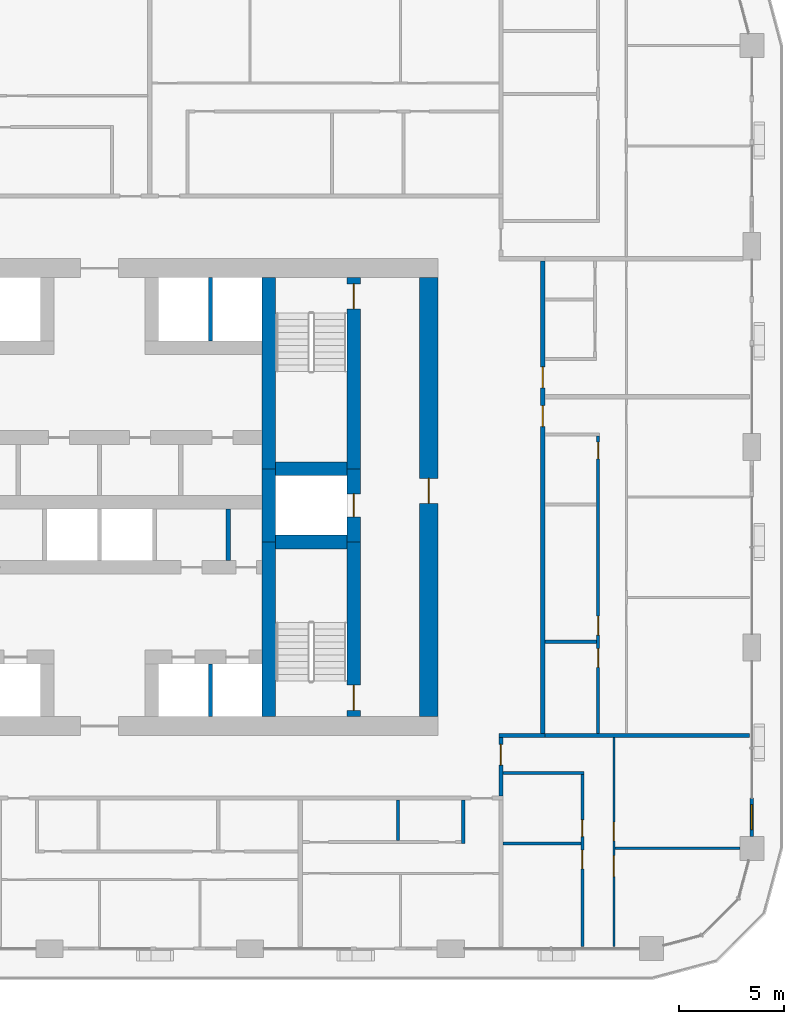
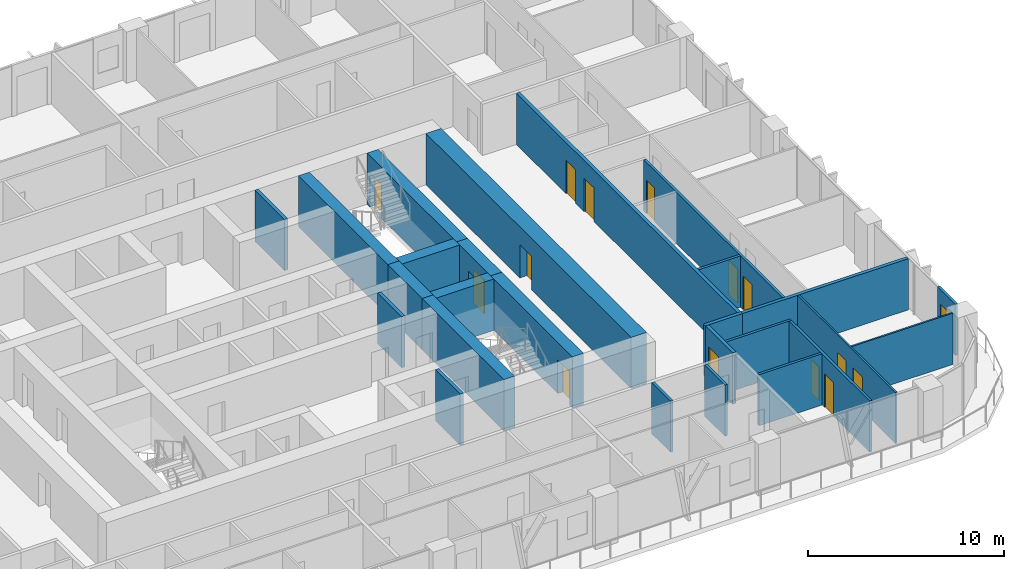
# One storey, part 12 of 22: 26 walls, 14 doors, 1 window, 15 openings.
"""IFC4 building model written with IfcOpenShell, lengths in metres."""

from ifc_helpers import new_model, si_unit, direction, frame, frame_2d, origin, place, context, subcontext, project, spatial, rectangle, extrude, material, layer, layer_set, type_object, element, fill, save


model = new_model("IFC4")

# Units and contexts
model_context = context("Model", 3, precision=1e-05, world=origin(), true_north=direction((0.0, 1.0)))
body_context = subcontext(model_context, "Body", "Model", "MODEL_VIEW")
ifc_project = project(units=[si_unit("LENGTHUNIT", "METRE"), si_unit("AREAUNIT", "SQUARE_METRE"), si_unit("VOLUMEUNIT", "CUBIC_METRE"), si_unit("PLANEANGLEUNIT", "RADIAN"), si_unit("MASSUNIT", "GRAM", prefix="KILO")], contexts=[model_context])

# Site, building, storey
site_placement = place(None, origin())
site = spatial("IfcSite", under=ifc_project, at=site_placement, CompositionType="ELEMENT")
building_placement = place(site_placement, origin())
building = spatial("IfcBuilding", under=site, at=building_placement, Name="Madar Terraces", CompositionType="ELEMENT")
storey_placement = place(building_placement, frame((0.0, 0.0, 103.199951171875)))
storey = spatial("IfcBuildingStorey", under=building, at=storey_placement, Name="L26", CompositionType="ELEMENT", Elevation=103.199951171875)

# Walls
ifc_material_1 = material(Name="Concrete C80/95", Category="concrete")
ifc_layer_1 = layer(ifc_material_1, 0.64990234375)
ifc_layer_set_1 = layer_set([ifc_layer_1], Name="Concrete C80/95 (CIW2 RC wall 650)")
wall_type_1 = type_object("IfcWallType", Name="CIW2 RC wall 650", PredefinedType="SHEAR", material=ifc_layer_set_1)
wall_1_placement = place(storey_placement, frame((39.300048828125, 15.89990234375, 0.0), z_axis=(0.0, 0.0, 1.0), x_axis=(0.0, 1.0, 0.0)))
element("IfcWall", 1, at=wall_1_placement, inside=storey, type_object=wall_type_1, Name="CORE SHAFT WALL", PredefinedType="SHEAR", context=body_context, shape_type="SweptSolid", body=[
    extrude(rectangle(XDim=8.35009765625, YDim=0.64990234375, at=frame_2d((4.175048828125, 0.0))), origin(), (0.0, 0.0, 1.0), 3.199951171875),
])
wall_2_placement = place(storey_placement, frame((39.300048828125, 24.25, 0.0), z_axis=(0.0, 0.0, 1.0), x_axis=(0.0, 1.0, 0.0)))
element("IfcWall", 2, at=wall_2_placement, inside=storey, type_object=wall_type_1, Name="CORE SHAFT WALL", PredefinedType="SHEAR", context=body_context, shape_type="SweptSolid", body=[
    extrude(rectangle(XDim=3.5, YDim=0.64990234375, at=frame_2d((1.75, 0.0))), origin(), (0.0, 0.0, 1.0), 3.199951171875),
])
wall_3_placement = place(storey_placement, frame((39.300048828125, 27.75, 0.0), z_axis=(0.0, 0.0, 1.0), x_axis=(0.0, 1.0, 0.0)))
element("IfcWall", 3, at=wall_3_placement, inside=storey, type_object=wall_type_1, Name="CORE SHAFT WALL", PredefinedType="SHEAR", context=body_context, shape_type="SweptSolid", body=[
    extrude(rectangle(XDim=9.14990234375, YDim=0.64990234375, at=frame_2d((4.574951171875, 0.0))), origin(), (0.0, 0.0, 1.0), 3.199951171875),
])

# Wall, opening, door
wall_4_placement = place(storey_placement, frame((43.35009765625, 15.89990234375, 0.0), z_axis=(0.0, 0.0, 1.0), x_axis=(0.0, 1.0, 0.0)))
wall_4 = element("IfcWall", 4, at=wall_4_placement, inside=storey, type_object=wall_type_1, Name="CORE SHAFT WALL", PredefinedType="SHEAR", context=body_context, shape_type="SweptSolid", body=[
    extrude(rectangle(XDim=8.35009765625, YDim=0.64990234375, at=frame_2d((4.175048828125, 0.0))), origin(), (0.0, 0.0, 1.0), 3.199951171875),
])
opening_1_placement = place(wall_4_placement, frame((0.300048828125, 0.0, 0.0)))
opening_1 = element("IfcOpeningElement", 5, at=opening_1_placement, cuts=wall_4, Name="Opening SD1", PredefinedType="OPENING", context=body_context, shape_type="SweptSolid", body=[
    extrude(rectangle(XDim=1.199951171875, YDim=2.10009765625, at=frame_2d((0.60009765625, 1.050048828125))), frame((0.0, 0.3349609375, 0.0), z_axis=(0.0, -1.0, 0.0), x_axis=(1.0, 0.0, 0.0)), (0.0, 0.0, 1.0), 0.669921875),
])
ifc_material_2 = material(Name="Steel door leaf", Category="steel")
door_type_1 = type_object("IfcDoorType", Name="Stair door 1200 x 2100", OperationType="NOTDEFINED", PredefinedType="DOOR", material=ifc_material_2)
door_1_placement = place(opening_1_placement, origin())
door_1 = element("IfcDoor", 6, at=door_1_placement, inside=storey, type_object=door_type_1, Name="STAIR DOOR", OperationType="SINGLE_SWING_LEFT", OverallHeight=2.10009765625, OverallWidth=1.199951171875, PredefinedType="DOOR", context=body_context, shape_type="SweptSolid", body=[
    extrude(rectangle(XDim=1.199951171875, YDim=2.10009765625, at=frame_2d((0.60009765625, 1.050048828125))), frame((0.0, 0.02490234375, 0.0), z_axis=(0.0, -1.0, 0.0), x_axis=(1.0, 0.0, 0.0)), (0.0, 0.0, 1.0), 0.050048828125),
])
fill(opening_1, door_1)

wall_5_placement = place(storey_placement, frame((43.35009765625, 24.25, 0.0), z_axis=(0.0, 0.0, 1.0), x_axis=(0.0, 1.0, 0.0)))
wall_5 = element("IfcWall", 7, at=wall_5_placement, inside=storey, type_object=wall_type_1, Name="CORE SHAFT WALL", PredefinedType="SHEAR", context=body_context, shape_type="SweptSolid", body=[
    extrude(rectangle(XDim=3.5, YDim=0.64990234375, at=frame_2d((1.75, 0.0))), origin(), (0.0, 0.0, 1.0), 3.199951171875),
])
opening_2_placement = place(wall_5_placement, frame((1.199951171875, 0.0, 0.0)))
opening_2 = element("IfcOpeningElement", 8, at=opening_2_placement, cuts=wall_5, Name="Opening LD", PredefinedType="OPENING", context=body_context, shape_type="SweptSolid", body=[
    extrude(rectangle(XDim=1.10009765625, YDim=2.10009765625, at=frame_2d((0.550048828125, 1.050048828125))), frame((0.0, 0.3349609375, 0.0), z_axis=(0.0, -1.0, 0.0), x_axis=(1.0, 0.0, 0.0)), (0.0, 0.0, 1.0), 0.669921875),
])
ifc_material_3 = material(Name="Stainless steel panel", Category="steel")
door_type_2 = type_object("IfcDoorType", Name="Lift landing door 1100 x 2100", OperationType="DOUBLE_DOOR_SLIDING", PredefinedType="DOOR", material=ifc_material_3)
door_2_placement = place(opening_2_placement, origin())
door_2 = element("IfcDoor", 9, at=door_2_placement, inside=storey, type_object=door_type_2, Name="LIFT LANDING DOOR", OperationType="DOUBLE_DOOR_SLIDING", OverallHeight=2.10009765625, OverallWidth=1.10009765625, PredefinedType="DOOR", context=body_context, shape_type="SweptSolid", body=[
    extrude(rectangle(XDim=1.10009765625, YDim=2.10009765625, at=frame_2d((0.550048828125, 1.050048828125))), frame((0.0, 0.02490234375, 0.0), z_axis=(0.0, -1.0, 0.0), x_axis=(1.0, 0.0, 0.0)), (0.0, 0.0, 1.0), 0.050048828125),
])
fill(opening_2, door_2)

wall_6_placement = place(storey_placement, frame((43.35009765625, 27.75, 0.0), z_axis=(0.0, 0.0, 1.0), x_axis=(0.0, 1.0, 0.0)))
wall_6 = element("IfcWall", 10, at=wall_6_placement, inside=storey, type_object=wall_type_1, Name="CORE SHAFT WALL", PredefinedType="SHEAR", context=body_context, shape_type="SweptSolid", body=[
    extrude(rectangle(XDim=9.14990234375, YDim=0.64990234375, at=frame_2d((4.574951171875, 0.0))), origin(), (0.0, 0.0, 1.0), 3.199951171875),
])
opening_3_placement = place(wall_6_placement, frame((7.64990234375, 0.0, 0.0)))
opening_3 = element("IfcOpeningElement", 11, at=opening_3_placement, cuts=wall_6, Name="Opening SD1", PredefinedType="OPENING", context=body_context, shape_type="SweptSolid", body=[
    extrude(rectangle(XDim=1.199951171875, YDim=2.10009765625, at=frame_2d((0.60009765625, 1.050048828125))), frame((0.0, 0.3349609375, 0.0), z_axis=(0.0, -1.0, 0.0), x_axis=(1.0, 0.0, 0.0)), (0.0, 0.0, 1.0), 0.669921875),
])
door_3_placement = place(opening_3_placement, origin())
door_3 = element("IfcDoor", 12, at=door_3_placement, inside=storey, type_object=door_type_1, Name="STAIR DOOR", OperationType="SINGLE_SWING_RIGHT", OverallHeight=2.10009765625, OverallWidth=1.199951171875, PredefinedType="DOOR", context=body_context, shape_type="SweptSolid", body=[
    extrude(rectangle(XDim=1.199951171875, YDim=2.10009765625, at=frame_2d((0.60009765625, 1.050048828125))), frame((0.0, 0.02490234375, 0.0), z_axis=(0.0, -1.0, 0.0), x_axis=(1.0, 0.0, 0.0)), (0.0, 0.0, 1.0), 0.050048828125),
])
fill(opening_3, door_3)

# Walls
for number, where, z_axis, x_axis, name in (
    (13, (39.625, 24.25, 0.0), (0.0, 0.0, 1.0), (1.0, 0.0, 0.0), "CORE SHAFT WALL"),
    (14, (39.625, 27.75, 0.0), (0.0, 0.0, 1.0), (1.0, 0.0, 0.0), "CORE SHAFT WALL"),
):
    element("IfcWall", number, at=place(storey_placement, frame(where, z_axis=z_axis, x_axis=x_axis)), inside=storey, type_object=wall_type_1, Name=name, PredefinedType="SHEAR", context=body_context, shape_type="SweptSolid", body=[
        extrude(rectangle(XDim=3.39990234375, YDim=0.64990234375, at=frame_2d((1.699951171875, 0.0))), origin(), (0.0, 0.0, 1.0), 3.199951171875),
    ])

# Wall, opening, door
ifc_material_4 = material(Name="Concrete C80/95", Category="concrete")
ifc_layer_2 = layer(ifc_material_4, 0.89990234375)
ifc_layer_set_2 = layer_set([ifc_layer_2], Name="Concrete C80/95 (CRW2 RC wall 900)")
wall_type_2 = type_object("IfcWallType", Name="CRW2 RC wall 900", PredefinedType="SHEAR", material=ifc_layer_set_2)
wall_7_placement = place(storey_placement, frame((46.949951171875, 15.89990234375, 0.0), z_axis=(0.0, 0.0, 1.0), x_axis=(0.0, 1.0, 0.0)))
wall_7 = element("IfcWall", 15, at=wall_7_placement, inside=storey, type_object=wall_type_2, Name="CORE OUTER WALL", PredefinedType="SHEAR", context=body_context, shape_type="SweptSolid", body=[
    extrude(rectangle(XDim=21.0, YDim=0.89990234375, at=frame_2d((10.5, 0.0))), origin(), (0.0, 0.0, 1.0), 3.199951171875),
])
opening_4_placement = place(wall_7_placement, frame((10.199951171875, 0.0, 0.0)))
opening_4 = element("IfcOpeningElement", 16, at=opening_4_placement, cuts=wall_7, Name="Opening SD1", PredefinedType="OPENING", context=body_context, shape_type="SweptSolid", body=[
    extrude(rectangle(XDim=1.199951171875, YDim=2.10009765625, at=frame_2d((0.60009765625, 1.050048828125))), frame((0.0, 0.4599609375, 0.0), z_axis=(0.0, -1.0, 0.0), x_axis=(1.0, 0.0, 0.0)), (0.0, 0.0, 1.0), 0.919921875),
])
door_4_placement = place(opening_4_placement, origin())
door_4 = element("IfcDoor", 17, at=door_4_placement, inside=storey, type_object=door_type_1, Name="STAIR DOOR", OperationType="SINGLE_SWING_RIGHT", OverallHeight=2.10009765625, OverallWidth=1.199951171875, PredefinedType="DOOR", context=body_context, shape_type="SweptSolid", body=[
    extrude(rectangle(XDim=1.199951171875, YDim=2.10009765625, at=frame_2d((0.60009765625, 1.050048828125))), frame((0.0, 0.02490234375, 0.0), z_axis=(0.0, -1.0, 0.0), x_axis=(1.0, 0.0, 0.0)), (0.0, 0.0, 1.0), 0.050048828125),
])
fill(opening_4, door_4)

# Walls
ifc_material_5 = material(Name="Masonry blockwork", Category="masonry")
ifc_layer_3 = layer(ifc_material_5, 0.199951171875)
ifc_layer_set_3 = layer_set([ifc_layer_3], Name="Core partition 200 blockwork")
wall_type_3 = type_object("IfcWallType", Name="Core partition 200 blockwork", PredefinedType="PARTITIONING", material=ifc_layer_set_3)
wall_8_placement = place(storey_placement, frame((37.35888671875, 23.375, 0.0), z_axis=(0.0, 0.0, 1.0), x_axis=(0.0, 1.0, 0.0)))
element("IfcWall", 18, at=wall_8_placement, inside=storey, type_object=wall_type_3, Name="SERVICE ROOM PARTITION", PredefinedType="PARTITIONING", context=body_context, shape_type="SweptSolid", body=[
    extrude(rectangle(XDim=2.449951171875, YDim=0.199951171875, at=frame_2d((1.22509765625, 0.0))), origin(), (0.0, 0.0, 1.0), 3.199951171875),
])
ifc_material_6 = material(Name="Concrete C40/50", Category="concrete")
ifc_layer_4 = layer(ifc_material_6, 0.199951171875)
ifc_layer_set_4 = layer_set([ifc_layer_4], Name="Core shaft dividing wall 200 C40/50")
wall_type_4 = type_object("IfcWallType", Name="Core shaft dividing wall 200 C40/50", PredefinedType="SOLIDWALL", material=ifc_layer_set_4)
wall_9_placement = place(storey_placement, frame((36.5, 15.89990234375, 0.0), z_axis=(0.0, 0.0, 1.0), x_axis=(0.0, 1.0, 0.0)))
element("IfcWall", 19, at=wall_9_placement, inside=storey, type_object=wall_type_4, Name="SHAFT DIVIDING WALL", PredefinedType="SOLIDWALL", context=body_context, shape_type="SweptSolid", body=[
    extrude(rectangle(XDim=2.525146484375, YDim=0.199951171875, at=frame_2d((1.2626953125, 0.0))), origin(), (0.0, 0.0, 1.0), 3.199951171875),
])
wall_10_placement = place(storey_placement, frame((36.5, 33.875, 0.0), z_axis=(0.0, 0.0, 1.0), x_axis=(0.0, 1.0, 0.0)))
element("IfcWall", 20, at=wall_10_placement, inside=storey, type_object=wall_type_4, Name="SHAFT DIVIDING WALL", PredefinedType="SOLIDWALL", context=body_context, shape_type="SweptSolid", body=[
    extrude(rectangle(XDim=3.02490234375, YDim=0.199951171875, at=frame_2d((1.512451171875, 0.0))), origin(), (0.0, 0.0, 1.0), 3.199951171875),
])

# Wall, opening, window
ifc_material_7 = material(Name="Aluminium composite panel, black, over insulated backing", Category="aluminium")
ifc_layer_5 = layer(ifc_material_7, 0.14990234375)
ifc_layer_set_5 = layer_set([ifc_layer_5], Name="Facade bay panel 150")
wall_type_5 = type_object("IfcWallType", Name="Facade bay panel 150", PredefinedType="SOLIDWALL", material=ifc_layer_set_5)
wall_11_placement = place(storey_placement, frame((62.39990234375, 10.175048828125, 0.0), z_axis=(0.0, 0.0, 1.0), x_axis=(0.0, 1.0, 0.0)))
wall_11 = element("IfcWall", 21, at=wall_11_placement, inside=storey, type_object=wall_type_5, Name="Facade bay panel", PredefinedType="SOLIDWALL", context=body_context, shape_type="SweptSolid", body=[
    extrude(rectangle(XDim=1.824951171875, YDim=0.14990234375, at=frame_2d((0.91259765625, 0.0))), origin(), (0.0, 0.0, 1.0), 3.199951171875),
])
opening_5_placement = place(wall_11_placement, frame((0.3125, 0.0, 0.89990234375)))
opening_5 = element("IfcOpeningElement", 22, at=opening_5_placement, cuts=wall_11, Name="Opening W1", PredefinedType="OPENING", context=body_context, shape_type="SweptSolid", body=[
    extrude(rectangle(XDim=1.199951171875, YDim=1.39990234375, at=frame_2d((0.60009765625, 0.699951171875))), frame((0.0, 0.0849609375, 0.0), z_axis=(0.0, -1.0, 0.0), x_axis=(1.0, 0.0, 0.0)), (0.0, 0.0, 1.0), 0.169921875),
])
ifc_material_8 = material(Name="Glass, clear, with black aluminium frame", Category="aluminium")
window_type = type_object("IfcWindowType", Name="Vent window 1200 x 1400", PartitioningType="SINGLE_PANEL", PredefinedType="WINDOW", material=ifc_material_8)
window_placement = place(opening_5_placement, origin())
window = element("IfcWindow", 23, at=window_placement, inside=storey, type_object=window_type, Name="Operable vent window", OverallHeight=1.39990234375, OverallWidth=1.199951171875, PartitioningType="SINGLE_PANEL", PredefinedType="WINDOW", context=body_context, shape_type="SweptSolid", body=[
    extrude(rectangle(XDim=1.199951171875, YDim=1.39990234375, at=frame_2d((0.60009765625, 0.699951171875))), frame((0.0, 0.030029296875, 0.0), z_axis=(0.0, -1.0, 0.0), x_axis=(1.0, 0.0, 0.0)), (0.0, 0.0, 1.0), 0.06005859375),
])
fill(opening_5, window)

# Wall
ifc_material_9 = material(Name="Gypsum board on steel studs", Category="steel")
ifc_layer_6 = layer(ifc_material_9, 0.10009765625)
ifc_layer_set_6 = layer_set([ifc_layer_6], Name="Flat partition 100")
wall_type_6 = type_object("IfcWallType", Name="Flat partition 100", PredefinedType="PARTITIONING", material=ifc_layer_set_6)
wall_12_placement = place(storey_placement, frame((55.85009765625, 9.60009765625, 0.0), z_axis=(0.0, 0.0, 1.0), x_axis=(1.0, 0.0, 0.0)))
element("IfcWall", 24, at=wall_12_placement, inside=storey, type_object=wall_type_6, Name="Flat partition 100", PredefinedType="PARTITIONING", context=body_context, shape_type="SweptSolid", body=[
    extrude(rectangle(XDim=5.974853515625, YDim=0.10009765625, at=frame_2d((2.9873046875, 0.0))), origin(), (0.0, 0.0, 1.0), 3.199951171875),
])

# Wall, openings, doors
wall_13_placement = place(storey_placement, frame((55.800048828125, 14.89990234375, 0.0), z_axis=(0.0, 0.0, 1.0), x_axis=(0.0, -1.0, 0.0)))
wall_13 = element("IfcWall", 25, at=wall_13_placement, inside=storey, type_object=wall_type_6, Name="Flat partition 100", PredefinedType="PARTITIONING", context=body_context, shape_type="SweptSolid", body=[
    extrude(rectangle(XDim=10.0, YDim=0.10009765625, at=frame_2d((5.0, 0.0))), origin(), (0.0, 0.0, 1.0), 3.199951171875),
])
opening_6_placement = place(wall_13_placement, frame((4.050048828125, 0.0, 0.0)))
opening_6 = element("IfcOpeningElement", 26, at=opening_6_placement, cuts=wall_13, Name="Opening D2", PredefinedType="OPENING", context=body_context, shape_type="SweptSolid", body=[
    extrude(rectangle(XDim=0.89990234375, YDim=2.10009765625, at=frame_2d((0.449951171875, 1.050048828125))), frame((0.0, 0.06005859375, 0.0), z_axis=(0.0, -1.0, 0.0), x_axis=(1.0, 0.0, 0.0)), (0.0, 0.0, 1.0), 0.1201171875),
])
opening_7_placement = place(wall_13_placement, frame((5.64990234375, 0.0, 0.0)))
opening_7 = element("IfcOpeningElement", 27, at=opening_7_placement, cuts=wall_13, Name="Opening D3", PredefinedType="OPENING", context=body_context, shape_type="SweptSolid", body=[
    extrude(rectangle(XDim=1.0, YDim=2.10009765625, at=frame_2d((0.5, 1.050048828125))), frame((0.0, 0.06005859375, 0.0), z_axis=(0.0, -1.0, 0.0), x_axis=(1.0, 0.0, 0.0)), (0.0, 0.0, 1.0), 0.1201171875),
])
ifc_material_10 = material(Name="Timber door leaf", Category="wood")
door_type_3 = type_object("IfcDoorType", Name="Flat living room door 1000", OperationType="NOTDEFINED", PredefinedType="DOOR", material=ifc_material_10)
door_5_placement = place(opening_7_placement, origin())
door_5 = element("IfcDoor", 28, at=door_5_placement, inside=storey, type_object=door_type_3, Name="Flat living room door 1000", OperationType="SINGLE_SWING_LEFT", OverallHeight=2.10009765625, OverallWidth=1.0, PredefinedType="DOOR", context=body_context, shape_type="SweptSolid", body=[
    extrude(rectangle(XDim=1.0, YDim=2.10009765625, at=frame_2d((0.5, 1.050048828125))), frame((0.0, 0.02490234375, 0.0), z_axis=(0.0, -1.0, 0.0), x_axis=(1.0, 0.0, 0.0)), (0.0, 0.0, 1.0), 0.050048828125),
])
fill(opening_7, door_5)
ifc_material_11 = material(Name="Timber door leaf", Category="wood")
door_type_4 = type_object("IfcDoorType", Name="Flat room door 900", OperationType="NOTDEFINED", PredefinedType="DOOR", material=ifc_material_11)
door_6_placement = place(opening_6_placement, origin())
door_6 = element("IfcDoor", 29, at=door_6_placement, inside=storey, type_object=door_type_4, Name="Flat room door 900", OperationType="SINGLE_SWING_RIGHT", OverallHeight=2.10009765625, OverallWidth=0.89990234375, PredefinedType="DOOR", context=body_context, shape_type="SweptSolid", body=[
    extrude(rectangle(XDim=0.89990234375, YDim=2.10009765625, at=frame_2d((0.449951171875, 1.050048828125))), frame((0.0, 0.02490234375, 0.0), z_axis=(0.0, -1.0, 0.0), x_axis=(1.0, 0.0, 0.0)), (0.0, 0.0, 1.0), 0.050048828125),
])
fill(opening_6, door_6)

# Wall, opening, door
ifc_material_12 = material(Name="Lightweight blockwork", Category="masonry")
ifc_layer_7 = layer(ifc_material_12, 0.199951171875)
ifc_layer_set_7 = layer_set([ifc_layer_7], Name="Flat party and entrance wall 200")
wall_type_7 = type_object("IfcWallType", Name="Flat party and entrance wall 200", PredefinedType="PARTITIONING", material=ifc_layer_set_7)
wall_14_placement = place(storey_placement, frame((50.39990234375, 14.89990234375, 0.0), z_axis=(0.0, 0.0, 1.0), x_axis=(0.0, -1.0, 0.0)))
wall_14 = element("IfcWall", 30, at=wall_14_placement, inside=storey, type_object=wall_type_7, Name="Flat party and entrance wall 200", PredefinedType="PARTITIONING", context=body_context, shape_type="SweptSolid", body=[
    extrude(rectangle(XDim=2.7998046875, YDim=0.199951171875, at=frame_2d((1.39990234375, 0.0))), origin(), (0.0, 0.0, 1.0), 3.199951171875),
])
opening_8_placement = place(wall_14_placement, frame((0.324951171875, 0.0, 0.0)))
opening_8 = element("IfcOpeningElement", 31, at=opening_8_placement, cuts=wall_14, Name="Opening D1", PredefinedType="OPENING", context=body_context, shape_type="SweptSolid", body=[
    extrude(rectangle(XDim=1.0, YDim=2.10009765625, at=frame_2d((0.5, 1.050048828125))), frame((0.0, 0.10986328125, 0.0), z_axis=(0.0, -1.0, 0.0), x_axis=(1.0, 0.0, 0.0)), (0.0, 0.0, 1.0), 0.219970703125),
])
ifc_material_13 = material(Name="Timber fire door leaf", Category="wood")
door_type_5 = type_object("IfcDoorType", Name="Flat entrance door 1000 FD30S", OperationType="NOTDEFINED", PredefinedType="DOOR", material=ifc_material_13)
door_7_placement = place(opening_8_placement, origin())
door_7 = element("IfcDoor", 32, at=door_7_placement, inside=storey, type_object=door_type_5, Name="Flat entrance door 1000 FD30S", OperationType="SINGLE_SWING_LEFT", OverallHeight=2.10009765625, OverallWidth=1.0, PredefinedType="DOOR", context=body_context, shape_type="SweptSolid", body=[
    extrude(rectangle(XDim=1.0, YDim=2.10009765625, at=frame_2d((0.5, 1.050048828125))), frame((0.0, 0.02490234375, 0.0), z_axis=(0.0, -1.0, 0.0), x_axis=(1.0, 0.0, 0.0)), (0.0, 0.0, 1.0), 0.050048828125),
])
fill(opening_8, door_7)

# Wall
wall_15_placement = place(storey_placement, frame((50.300048828125, 15.0, 0.0), z_axis=(0.0, 0.0, 1.0), x_axis=(1.0, 0.0, 0.0)))
element("IfcWall", 33, at=wall_15_placement, inside=storey, type_object=wall_type_7, Name="Flat party and entrance wall 200", PredefinedType="PARTITIONING", context=body_context, shape_type="SweptSolid", body=[
    extrude(rectangle(XDim=2.199951171875, YDim=0.199951171875, at=frame_2d((1.10009765625, 0.0))), origin(), (0.0, 0.0, 1.0), 3.199951171875),
])

# Wall, openings, doors
wall_16_placement = place(storey_placement, frame((52.39990234375, 37.699951171875, 0.0), z_axis=(0.0, 0.0, 1.0), x_axis=(0.0, -1.0, 0.0)))
wall_16 = element("IfcWall", 34, at=wall_16_placement, inside=storey, type_object=wall_type_7, Name="Flat party and entrance wall 200", PredefinedType="PARTITIONING", context=body_context, shape_type="SweptSolid", body=[
    extrude(rectangle(XDim=22.599853515625, YDim=0.199951171875, at=frame_2d((11.2998046875, 0.0))), origin(), (0.0, 0.0, 1.0), 3.199951171875),
])
opening_9_placement = place(wall_16_placement, frame((6.925048828125, 0.0, 0.0)))
opening_9 = element("IfcOpeningElement", 35, at=opening_9_placement, cuts=wall_16, Name="Opening D1", PredefinedType="OPENING", context=body_context, shape_type="SweptSolid", body=[
    extrude(rectangle(XDim=1.0, YDim=2.10009765625, at=frame_2d((0.5, 1.050048828125))), frame((0.0, 0.10986328125, 0.0), z_axis=(0.0, -1.0, 0.0), x_axis=(1.0, 0.0, 0.0)), (0.0, 0.0, 1.0), 0.219970703125),
])
opening_10_placement = place(wall_16_placement, frame((5.074951171875, 0.0, 0.0)))
opening_10 = element("IfcOpeningElement", 36, at=opening_10_placement, cuts=wall_16, Name="Opening D1", PredefinedType="OPENING", context=body_context, shape_type="SweptSolid", body=[
    extrude(rectangle(XDim=1.0, YDim=2.10009765625, at=frame_2d((0.5, 1.050048828125))), frame((0.0, 0.10986328125, 0.0), z_axis=(0.0, -1.0, 0.0), x_axis=(1.0, 0.0, 0.0)), (0.0, 0.0, 1.0), 0.219970703125),
])
door_8_placement = place(opening_9_placement, origin())
door_8 = element("IfcDoor", 37, at=door_8_placement, inside=storey, type_object=door_type_5, Name="Flat entrance door 1000 FD30S", OperationType="SINGLE_SWING_LEFT", OverallHeight=2.10009765625, OverallWidth=1.0, PredefinedType="DOOR", context=body_context, shape_type="SweptSolid", body=[
    extrude(rectangle(XDim=1.0, YDim=2.10009765625, at=frame_2d((0.5, 1.050048828125))), frame((0.0, 0.02490234375, 0.0), z_axis=(0.0, -1.0, 0.0), x_axis=(1.0, 0.0, 0.0)), (0.0, 0.0, 1.0), 0.050048828125),
])
fill(opening_9, door_8)
door_9_placement = place(opening_10_placement, origin())
door_9 = element("IfcDoor", 38, at=door_9_placement, inside=storey, type_object=door_type_5, Name="Flat entrance door 1000 FD30S", OperationType="SINGLE_SWING_RIGHT", OverallHeight=2.10009765625, OverallWidth=1.0, PredefinedType="DOOR", context=body_context, shape_type="SweptSolid", body=[
    extrude(rectangle(XDim=1.0, YDim=2.10009765625, at=frame_2d((0.5, 1.050048828125))), frame((0.0, 0.02490234375, 0.0), z_axis=(0.0, -1.0, 0.0), x_axis=(1.0, 0.0, 0.0)), (0.0, 0.0, 1.0), 0.050048828125),
])
fill(opening_10, door_9)

# Walls
wall_17_placement = place(storey_placement, frame((52.5, 15.0, 0.0), z_axis=(0.0, 0.0, 1.0), x_axis=(1.0, 0.0, 0.0)))
element("IfcWall", 39, at=wall_17_placement, inside=storey, type_object=wall_type_7, Name="Flat party and entrance wall 200", PredefinedType="PARTITIONING", context=body_context, shape_type="SweptSolid", body=[
    extrude(rectangle(XDim=9.800048828125, YDim=0.199951171875, at=frame_2d((4.89990234375, 0.0))), origin(), (0.0, 0.0, 1.0), 3.199951171875),
])
ifc_material_14 = material(Name="Lightweight blockwork", Category="masonry")
ifc_layer_8 = layer(ifc_material_14, 0.14990234375)
ifc_layer_set_8 = layer_set([ifc_layer_8], Name="Flat wet-room partition 150")
wall_type_8 = type_object("IfcWallType", Name="Flat wet-room partition 150", PredefinedType="PARTITIONING", material=ifc_layer_set_8)
wall_18_placement = place(storey_placement, frame((45.47509765625, 11.89990234375, 0.0), z_axis=(0.0, 0.0, 1.0), x_axis=(0.0, -1.0, 0.0)))
element("IfcWall", 40, at=wall_18_placement, inside=storey, type_object=wall_type_8, Name="Flat wet-room partition 150", PredefinedType="PARTITIONING", context=body_context, shape_type="SweptSolid", body=[
    extrude(rectangle(XDim=1.9248046875, YDim=0.14990234375, at=frame_2d((0.96240234375, 0.0))), origin(), (0.0, 0.0, 1.0), 3.199951171875),
])
wall_19_placement = place(storey_placement, frame((48.60009765625, 11.89990234375, 0.0), z_axis=(0.0, 0.0, 1.0), x_axis=(0.0, -1.0, 0.0)))
element("IfcWall", 41, at=wall_19_placement, inside=storey, type_object=wall_type_8, Name="Flat wet-room partition 150", PredefinedType="PARTITIONING", context=body_context, shape_type="SweptSolid", body=[
    extrude(rectangle(XDim=2.074951171875, YDim=0.14990234375, at=frame_2d((1.03759765625, 0.0))), origin(), (0.0, 0.0, 1.0), 3.199951171875),
])
wall_20_placement = place(storey_placement, frame((50.5, 9.8349609375, 0.0), z_axis=(0.0, 0.0, 1.0), x_axis=(1.0, 0.0, 0.0)))
element("IfcWall", 42, at=wall_20_placement, inside=storey, type_object=wall_type_8, Name="Flat wet-room partition 150", PredefinedType="PARTITIONING", context=body_context, shape_type="SweptSolid", body=[
    extrude(rectangle(XDim=3.72509765625, YDim=0.14990234375, at=frame_2d((1.862548828125, 0.0))), origin(), (0.0, 0.0, 1.0), 3.199951171875),
])
wall_21_placement = place(storey_placement, frame((50.5, 13.199951171875, 0.0), z_axis=(0.0, 0.0, 1.0), x_axis=(1.0, 0.0, 0.0)))
element("IfcWall", 43, at=wall_21_placement, inside=storey, type_object=wall_type_8, Name="Flat wet-room partition 150", PredefinedType="PARTITIONING", context=body_context, shape_type="SweptSolid", body=[
    extrude(rectangle(XDim=3.875, YDim=0.14990234375, at=frame_2d((1.9375, 0.0))), origin(), (0.0, 0.0, 1.0), 3.199951171875),
])

# Wall, openings, doors
wall_22_placement = place(storey_placement, frame((54.300048828125, 4.89990234375, 0.0), z_axis=(0.0, 0.0, 1.0), x_axis=(0.0, 1.0, 0.0)))
wall_22 = element("IfcWall", 44, at=wall_22_placement, inside=storey, type_object=wall_type_8, Name="Flat wet-room partition 150", PredefinedType="PARTITIONING", context=body_context, shape_type="SweptSolid", body=[
    extrude(rectangle(XDim=8.22509765625, YDim=0.14990234375, at=frame_2d((4.112548828125, 0.0))), origin(), (0.0, 0.0, 1.0), 3.199951171875),
])
opening_11_placement = place(wall_22_placement, frame((5.260009765625, 0.0, 0.0)))
opening_11 = element("IfcOpeningElement", 45, at=opening_11_placement, cuts=wall_22, Name="Opening D4", PredefinedType="OPENING", context=body_context, shape_type="SweptSolid", body=[
    extrude(rectangle(XDim=0.800048828125, YDim=2.10009765625, at=frame_2d((0.39990234375, 1.050048828125))), frame((0.0, 0.0849609375, 0.0), z_axis=(0.0, -1.0, 0.0), x_axis=(1.0, 0.0, 0.0)), (0.0, 0.0, 1.0), 0.169921875),
])
opening_12_placement = place(wall_22_placement, frame((3.7099609375, 0.0, 0.0)))
opening_12 = element("IfcOpeningElement", 46, at=opening_12_placement, cuts=wall_22, Name="Opening D2", PredefinedType="OPENING", context=body_context, shape_type="SweptSolid", body=[
    extrude(rectangle(XDim=0.89990234375, YDim=2.10009765625, at=frame_2d((0.449951171875, 1.050048828125))), frame((0.0, 0.0849609375, 0.0), z_axis=(0.0, -1.0, 0.0), x_axis=(1.0, 0.0, 0.0)), (0.0, 0.0, 1.0), 0.169921875),
])
ifc_material_15 = material(Name="Timber door leaf", Category="wood")
door_type_6 = type_object("IfcDoorType", Name="Flat bathroom door 800", OperationType="NOTDEFINED", PredefinedType="DOOR", material=ifc_material_15)
door_10_placement = place(opening_11_placement, origin())
door_10 = element("IfcDoor", 47, at=door_10_placement, inside=storey, type_object=door_type_6, Name="Flat bathroom door 800", OperationType="SINGLE_SWING_LEFT", OverallHeight=2.10009765625, OverallWidth=0.800048828125, PredefinedType="DOOR", context=body_context, shape_type="SweptSolid", body=[
    extrude(rectangle(XDim=0.800048828125, YDim=2.10009765625, at=frame_2d((0.39990234375, 1.050048828125))), frame((0.0, 0.02490234375, 0.0), z_axis=(0.0, -1.0, 0.0), x_axis=(1.0, 0.0, 0.0)), (0.0, 0.0, 1.0), 0.050048828125),
])
fill(opening_11, door_10)
door_11_placement = place(opening_12_placement, origin())
door_11 = element("IfcDoor", 48, at=door_11_placement, inside=storey, type_object=door_type_4, Name="Flat room door 900", OperationType="SINGLE_SWING_RIGHT", OverallHeight=2.10009765625, OverallWidth=0.89990234375, PredefinedType="DOOR", context=body_context, shape_type="SweptSolid", body=[
    extrude(rectangle(XDim=0.89990234375, YDim=2.10009765625, at=frame_2d((0.449951171875, 1.050048828125))), frame((0.0, 0.02490234375, 0.0), z_axis=(0.0, -1.0, 0.0), x_axis=(1.0, 0.0, 0.0)), (0.0, 0.0, 1.0), 0.050048828125),
])
fill(opening_12, door_11)

# Wall
wall_23_placement = place(storey_placement, frame((52.5, 19.476806640625, 0.0), z_axis=(0.0, 0.0, 1.0), x_axis=(1.0, 0.0, 0.0)))
element("IfcWall", 49, at=wall_23_placement, inside=storey, type_object=wall_type_8, Name="Flat wet-room partition 150", PredefinedType="PARTITIONING", context=body_context, shape_type="SweptSolid", body=[
    extrude(rectangle(XDim=2.47509765625, YDim=0.14990234375, at=frame_2d((1.237548828125, 0.0))), origin(), (0.0, 0.0, 1.0), 3.199951171875),
])

# Wall, openings, doors
wall_24_placement = place(storey_placement, frame((55.050048828125, 15.10009765625, 0.0), z_axis=(0.0, 0.0, 1.0), x_axis=(0.0, 1.0, 0.0)))
wall_24 = element("IfcWall", 50, at=wall_24_placement, inside=storey, type_object=wall_type_8, Name="Flat wet-room partition 150", PredefinedType="PARTITIONING", context=body_context, shape_type="SweptSolid", body=[
    extrude(rectangle(XDim=14.224853515625, YDim=0.14990234375, at=frame_2d((7.1123046875, 0.0))), origin(), (0.0, 0.0, 1.0), 3.199951171875),
])
opening_13_placement = place(wall_24_placement, frame((13.125, 0.0, 0.0)))
opening_13 = element("IfcOpeningElement", 51, at=opening_13_placement, cuts=wall_24, Name="Opening D4", PredefinedType="OPENING", context=body_context, shape_type="SweptSolid", body=[
    extrude(rectangle(XDim=0.800048828125, YDim=2.10009765625, at=frame_2d((0.39990234375, 1.050048828125))), frame((0.0, 0.0849609375, 0.0), z_axis=(0.0, -1.0, 0.0), x_axis=(1.0, 0.0, 0.0)), (0.0, 0.0, 1.0), 0.169921875),
])
opening_14_placement = place(wall_24_placement, frame((4.701904296875, 0.0, 0.0)))
opening_14 = element("IfcOpeningElement", 52, at=opening_14_placement, cuts=wall_24, Name="Opening D2", PredefinedType="OPENING", context=body_context, shape_type="SweptSolid", body=[
    extrude(rectangle(XDim=0.89990234375, YDim=2.10009765625, at=frame_2d((0.449951171875, 1.050048828125))), frame((0.0, 0.0849609375, 0.0), z_axis=(0.0, -1.0, 0.0), x_axis=(1.0, 0.0, 0.0)), (0.0, 0.0, 1.0), 0.169921875),
])
opening_15_placement = place(wall_24_placement, frame((3.15185546875, 0.0, 0.0)))
opening_15 = element("IfcOpeningElement", 53, at=opening_15_placement, cuts=wall_24, Name="Opening D5", PredefinedType="OPENING", context=body_context, shape_type="SweptSolid", body=[
    extrude(rectangle(XDim=0.89990234375, YDim=2.10009765625, at=frame_2d((0.449951171875, 1.050048828125))), frame((0.0, 0.0849609375, 0.0), z_axis=(0.0, -1.0, 0.0), x_axis=(1.0, 0.0, 0.0)), (0.0, 0.0, 1.0), 0.169921875),
])
ifc_material_16 = material(Name="Timber door leaf", Category="wood")
door_type_7 = type_object("IfcDoorType", Name="Flat accessible bathroom door 900", OperationType="NOTDEFINED", PredefinedType="DOOR", material=ifc_material_16)
door_12_placement = place(opening_15_placement, origin())
door_12 = element("IfcDoor", 54, at=door_12_placement, inside=storey, type_object=door_type_7, Name="Flat accessible bathroom door 900", OperationType="SINGLE_SWING_RIGHT", OverallHeight=2.10009765625, OverallWidth=0.89990234375, PredefinedType="DOOR", context=body_context, shape_type="SweptSolid", body=[
    extrude(rectangle(XDim=0.89990234375, YDim=2.10009765625, at=frame_2d((0.449951171875, 1.050048828125))), frame((0.0, 0.02490234375, 0.0), z_axis=(0.0, -1.0, 0.0), x_axis=(1.0, 0.0, 0.0)), (0.0, 0.0, 1.0), 0.050048828125),
])
fill(opening_15, door_12)
door_13_placement = place(opening_13_placement, origin())
door_13 = element("IfcDoor", 55, at=door_13_placement, inside=storey, type_object=door_type_6, Name="Flat bathroom door 800", OperationType="SINGLE_SWING_RIGHT", OverallHeight=2.10009765625, OverallWidth=0.800048828125, PredefinedType="DOOR", context=body_context, shape_type="SweptSolid", body=[
    extrude(rectangle(XDim=0.800048828125, YDim=2.10009765625, at=frame_2d((0.39990234375, 1.050048828125))), frame((0.0, 0.02490234375, 0.0), z_axis=(0.0, -1.0, 0.0), x_axis=(1.0, 0.0, 0.0)), (0.0, 0.0, 1.0), 0.050048828125),
])
fill(opening_13, door_13)
door_14_placement = place(opening_14_placement, origin())
door_14 = element("IfcDoor", 56, at=door_14_placement, inside=storey, type_object=door_type_4, Name="Flat room door 900", OperationType="SINGLE_SWING_LEFT", OverallHeight=2.10009765625, OverallWidth=0.89990234375, PredefinedType="DOOR", context=body_context, shape_type="SweptSolid", body=[
    extrude(rectangle(XDim=0.89990234375, YDim=2.10009765625, at=frame_2d((0.449951171875, 1.050048828125))), frame((0.0, 0.02490234375, 0.0), z_axis=(0.0, -1.0, 0.0), x_axis=(1.0, 0.0, 0.0)), (0.0, 0.0, 1.0), 0.050048828125),
])
fill(opening_14, door_14)

save(model, "model.ifc")
